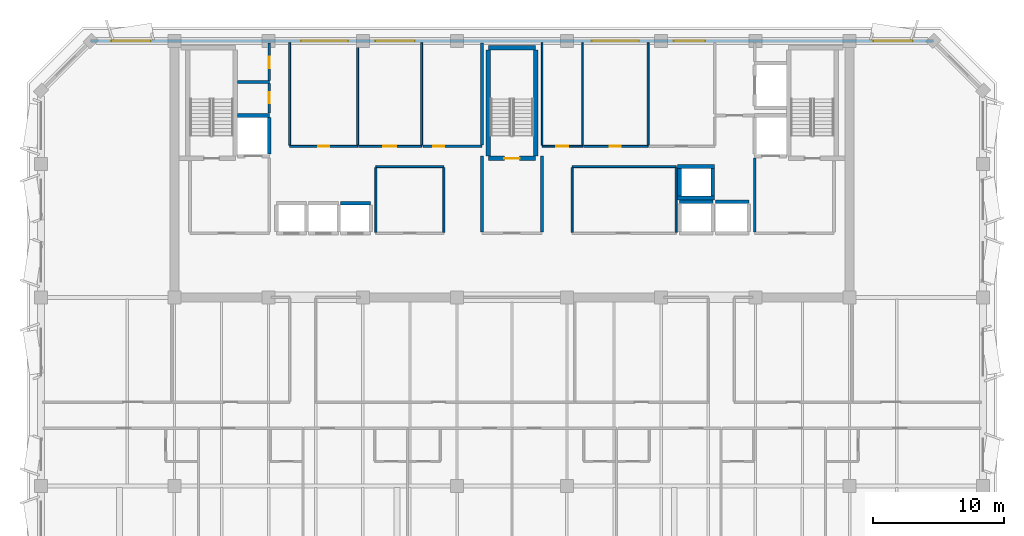
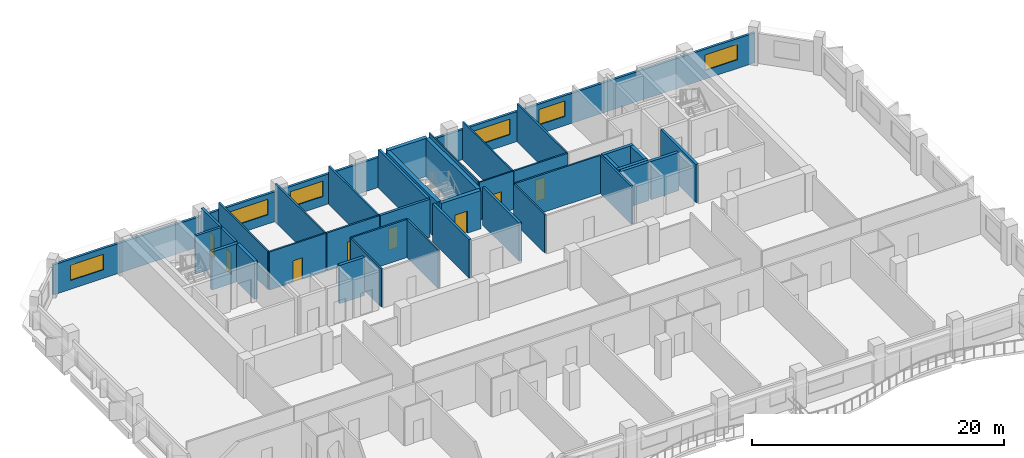
# One storey, part 6 of 11: 38 walls, 8 doors, 6 windows, 14 openings.
"""IFC4 building model written with IfcOpenShell, lengths in metres."""

from ifc_helpers import new_model, si_unit, direction, frame, frame_2d, origin, place, context, subcontext, project, spatial, rectangle, extrude, material, layer, layer_set, type_object, element, fill, save


model = new_model("IFC4")

# Units and contexts
model_context = context("Model", 3, precision=1e-05, world=origin(), true_north=direction((0.0, 1.0)))
body_context = subcontext(model_context, "Body", "Model", "MODEL_VIEW")
ifc_project = project(units=[si_unit("LENGTHUNIT", "METRE"), si_unit("AREAUNIT", "SQUARE_METRE"), si_unit("VOLUMEUNIT", "CUBIC_METRE"), si_unit("PLANEANGLEUNIT", "RADIAN"), si_unit("MASSUNIT", "GRAM", prefix="KILO")], contexts=[model_context])

# Site, building, storey
site_placement = place(None, origin())
site = spatial("IfcSite", under=ifc_project, at=site_placement, CompositionType="ELEMENT")
building_placement = place(site_placement, origin())
building = spatial("IfcBuilding", under=site, at=building_placement, Name="Kaelvorn Grand Hotel", CompositionType="ELEMENT")
storey_placement = place(building_placement, frame((0.0, 0.0, 244.949951171875)))
storey = spatial("IfcBuildingStorey", under=building, at=storey_placement, Name="L60", CompositionType="ELEMENT", Elevation=244.949951171875)

# Wall, openings, windows
ifc_material_1 = material(Name="Concrete C40/50", Category="concrete")
ifc_layer_1 = layer(ifc_material_1, 0.219970703125)
ifc_layer_set_1 = layer_set([ifc_layer_1], Name="Concrete C40/50")
wall_type_1 = type_object("IfcWallType", Name="WL-EXT-220-C40", PredefinedType="SOLIDWALL", material=ifc_layer_set_1)
wall_1_placement = place(storey_placement, frame((74.199951171875, 49.0, 0.0), z_axis=(0.0, 0.0, 1.0), x_axis=(-1.0, 0.0, 0.0)))
wall_1 = element("IfcWall", 1, at=wall_1_placement, inside=storey, type_object=wall_type_1, Name="L60 Exterior Architectural Concrete Wall 05", PredefinedType="SOLIDWALL", context=body_context, shape_type="SweptSolid", body=[
    extrude(rectangle(XDim=64.39990234375, YDim=0.219970703125, at=frame_2d((32.199951171875, 0.0))), origin(), (0.0, 0.0, 1.0), 2.91015625),
])
opening_1_placement = place(wall_1_placement, frame((59.81494140625, 0.0, 0.85009765625)))
opening_1 = element("IfcOpeningElement", 2, at=opening_1_placement, cuts=wall_1, Name="Opening W5", PredefinedType="OPENING", context=body_context, shape_type="SweptSolid", body=[
    extrude(rectangle(XDim=3.0, YDim=1.5, at=frame_2d((1.5, 0.75))), frame((0.0, 0.1201171875, 0.0), z_axis=(0.0, -1.0, 0.0), x_axis=(1.0, 0.0, 0.0)), (0.0, 0.0, 1.0), 0.239990234375),
])
opening_2_placement = place(wall_1_placement, frame((1.5849609375, 0.0, 0.85009765625)))
opening_2 = element("IfcOpeningElement", 3, at=opening_2_placement, cuts=wall_1, Name="Opening W5", PredefinedType="OPENING", context=body_context, shape_type="SweptSolid", body=[
    extrude(rectangle(XDim=3.0, YDim=1.5, at=frame_2d((1.5, 0.75))), frame((0.0, 0.1201171875, 0.0), z_axis=(0.0, -1.0, 0.0), x_axis=(1.0, 0.0, 0.0)), (0.0, 0.0, 1.0), 0.239990234375),
])
opening_3_placement = place(wall_1_placement, frame((44.715087890625, 0.0, 0.89990234375)))
opening_3 = element("IfcOpeningElement", 4, at=opening_3_placement, cuts=wall_1, Name="Opening W3", PredefinedType="OPENING", context=body_context, shape_type="SweptSolid", body=[
    extrude(rectangle(XDim=3.60009765625, YDim=1.5, at=frame_2d((1.800048828125, 0.75))), frame((0.0, 0.1201171875, 0.0), z_axis=(0.0, -1.0, 0.0), x_axis=(1.0, 0.0, 0.0)), (0.0, 0.0, 1.0), 0.239990234375),
])
opening_4_placement = place(wall_1_placement, frame((39.64990234375, 0.0, 0.89990234375)))
opening_4 = element("IfcOpeningElement", 5, at=opening_4_placement, cuts=wall_1, Name="Opening W5", PredefinedType="OPENING", context=body_context, shape_type="SweptSolid", body=[
    extrude(rectangle(XDim=3.0, YDim=1.5, at=frame_2d((1.5, 0.75))), frame((0.0, 0.1201171875, 0.0), z_axis=(0.0, -1.0, 0.0), x_axis=(1.0, 0.0, 0.0)), (0.0, 0.0, 1.0), 0.239990234375),
])
opening_5_placement = place(wall_1_placement, frame((22.5, 0.0, 0.89990234375)))
opening_5 = element("IfcOpeningElement", 6, at=opening_5_placement, cuts=wall_1, Name="Opening W3", PredefinedType="OPENING", context=body_context, shape_type="SweptSolid", body=[
    extrude(rectangle(XDim=3.60009765625, YDim=1.5, at=frame_2d((1.800048828125, 0.75))), frame((0.0, 0.1201171875, 0.0), z_axis=(0.0, -1.0, 0.0), x_axis=(1.0, 0.0, 0.0)), (0.0, 0.0, 1.0), 0.239990234375),
])
opening_6_placement = place(wall_1_placement, frame((17.43505859375, 0.0, 0.89990234375)))
opening_6 = element("IfcOpeningElement", 7, at=opening_6_placement, cuts=wall_1, Name="Opening W6", PredefinedType="OPENING", context=body_context, shape_type="SweptSolid", body=[
    extrude(rectangle(XDim=2.39990234375, YDim=1.5, at=frame_2d((1.199951171875, 0.75))), frame((0.0, 0.1201171875, 0.0), z_axis=(0.0, -1.0, 0.0), x_axis=(1.0, 0.0, 0.0)), (0.0, 0.0, 1.0), 0.239990234375),
])
ifc_material_2 = material(Name="Laminated Low-E Glass", Category="glass")
window_type_1 = type_object("IfcWindowType", Name="WIN-NTH-2400x1500", PartitioningType="SINGLE_PANEL", PredefinedType="WINDOW", material=ifc_material_2)
window_1_placement = place(opening_6_placement, origin())
window_1 = element("IfcWindow", 8, at=window_1_placement, inside=storey, type_object=window_type_1, Name="L60 North Core Clerestory Ribbon Window NC06", OverallHeight=1.5, OverallWidth=2.39990234375, PartitioningType="SINGLE_PANEL", PredefinedType="WINDOW", context=body_context, shape_type="SweptSolid", body=[
    extrude(rectangle(XDim=2.39990234375, YDim=1.5, at=frame_2d((1.199951171875, 0.75))), frame((0.0, 0.030029296875, 0.0), z_axis=(0.0, -1.0, 0.0), x_axis=(1.0, 0.0, 0.0)), (0.0, 0.0, 1.0), 0.06005859375),
])
fill(opening_6, window_1)
window_type_2 = type_object("IfcWindowType", Name="WIN-NTH-3000x1500", PartitioningType="SINGLE_PANEL", PredefinedType="WINDOW", material=ifc_material_2)
window_2_placement = place(opening_1_placement, origin())
window_2 = element("IfcWindow", 9, at=window_2_placement, inside=storey, type_object=window_type_2, Name="L60 North Wing Ribbon Window NW01", OverallHeight=1.5, OverallWidth=3.0, PartitioningType="SINGLE_PANEL", PredefinedType="WINDOW", context=body_context, shape_type="SweptSolid", body=[
    extrude(rectangle(XDim=3.0, YDim=1.5, at=frame_2d((1.5, 0.75))), frame((0.0, 0.030029296875, 0.0), z_axis=(0.0, -1.0, 0.0), x_axis=(1.0, 0.0, 0.0)), (0.0, 0.0, 1.0), 0.06005859375),
])
fill(opening_1, window_2)
window_3_placement = place(opening_2_placement, origin())
window_3 = element("IfcWindow", 10, at=window_3_placement, inside=storey, type_object=window_type_2, Name="L60 North Wing Ribbon Window NW02", OverallHeight=1.5, OverallWidth=3.0, PartitioningType="SINGLE_PANEL", PredefinedType="WINDOW", context=body_context, shape_type="SweptSolid", body=[
    extrude(rectangle(XDim=3.0, YDim=1.5, at=frame_2d((1.5, 0.75))), frame((0.0, 0.030029296875, 0.0), z_axis=(0.0, -1.0, 0.0), x_axis=(1.0, 0.0, 0.0)), (0.0, 0.0, 1.0), 0.06005859375),
])
fill(opening_2, window_3)
window_4_placement = place(opening_4_placement, origin())
window_4 = element("IfcWindow", 11, at=window_4_placement, inside=storey, type_object=window_type_2, Name="L60 North Core Clerestory Ribbon Window NC04", OverallHeight=1.5, OverallWidth=3.0, PartitioningType="SINGLE_PANEL", PredefinedType="WINDOW", context=body_context, shape_type="SweptSolid", body=[
    extrude(rectangle(XDim=3.0, YDim=1.5, at=frame_2d((1.5, 0.75))), frame((0.0, 0.030029296875, 0.0), z_axis=(0.0, -1.0, 0.0), x_axis=(1.0, 0.0, 0.0)), (0.0, 0.0, 1.0), 0.06005859375),
])
fill(opening_4, window_4)
window_type_3 = type_object("IfcWindowType", Name="WIN-RIB-3600x1750", PartitioningType="SINGLE_PANEL", PredefinedType="WINDOW", material=ifc_material_2)
window_5_placement = place(opening_3_placement, origin())
window_5 = element("IfcWindow", 12, at=window_5_placement, inside=storey, type_object=window_type_3, Name="L60 North Core Clerestory Ribbon Window NC03", OverallHeight=1.5, OverallWidth=3.60009765625, PartitioningType="SINGLE_PANEL", PredefinedType="WINDOW", context=body_context, shape_type="SweptSolid", body=[
    extrude(rectangle(XDim=3.60009765625, YDim=1.5, at=frame_2d((1.800048828125, 0.75))), frame((0.0, 0.030029296875, 0.0), z_axis=(0.0, -1.0, 0.0), x_axis=(1.0, 0.0, 0.0)), (0.0, 0.0, 1.0), 0.06005859375),
])
fill(opening_3, window_5)
window_6_placement = place(opening_5_placement, origin())
window_6 = element("IfcWindow", 13, at=window_6_placement, inside=storey, type_object=window_type_3, Name="L60 North Core Clerestory Ribbon Window NC05", OverallHeight=1.5, OverallWidth=3.60009765625, PartitioningType="SINGLE_PANEL", PredefinedType="WINDOW", context=body_context, shape_type="SweptSolid", body=[
    extrude(rectangle(XDim=3.60009765625, YDim=1.5, at=frame_2d((1.800048828125, 0.75))), frame((0.0, 0.030029296875, 0.0), z_axis=(0.0, -1.0, 0.0), x_axis=(1.0, 0.0, 0.0)), (0.0, 0.0, 1.0), 0.06005859375),
])
fill(opening_5, window_6)

# Wall, opening, door
ifc_material_3 = material(Name="Moisture-Resistant Tile & Stud Board")
ifc_layer_2 = layer(ifc_material_3, 0.125)
ifc_layer_set_2 = layer_set([ifc_layer_2], Name="Moisture-Resistant Tile & Stud Board")
wall_type_2 = type_object("IfcWallType", Name="WL-PART-125-WET", PredefinedType="PARTITIONING", material=ifc_layer_set_2)
wall_2_placement = place(storey_placement, frame((44.300048828125, 40.949951171875, 0.0), z_axis=(0.0, 0.0, 1.0), x_axis=(1.0, 0.0, 0.0)))
wall_2 = element("IfcWall", 14, at=wall_2_placement, inside=storey, type_object=wall_type_2, Name="L60 Accessible WC S Partition", PredefinedType="PARTITIONING", context=body_context, shape_type="SweptSolid", body=[
    extrude(rectangle(XDim=3.099853515625, YDim=0.125, at=frame_2d((1.5498046875, 0.0))), origin(), (0.0, 0.0, 1.0), 3.7099609375),
])
opening_7_placement = place(wall_2_placement, frame((1.10009765625, 0.0, 0.0)))
opening_7 = element("IfcOpeningElement", 15, at=opening_7_placement, cuts=wall_2, Name="Opening DI4", PredefinedType="OPENING", context=body_context, shape_type="SweptSolid", body=[
    extrude(rectangle(XDim=0.89990234375, YDim=2.10009765625, at=frame_2d((0.449951171875, 1.050048828125))), frame((0.0, 0.072509765625, 0.0), z_axis=(0.0, -1.0, 0.0), x_axis=(1.0, 0.0, 0.0)), (0.0, 0.0, 1.0), 0.14501953125),
])
ifc_material_4 = material(Name="Timber Veneer Leaf", Category="wood")
door_type_1 = type_object("IfcDoorType", Name="DR-INT-BATH-900x2100", OperationType="NOTDEFINED", PredefinedType="DOOR", material=ifc_material_4)
door_1_placement = place(opening_7_placement, origin())
door_1 = element("IfcDoor", 16, at=door_1_placement, inside=storey, type_object=door_type_1, Name="L60 Accessible WC Door", OperationType="SINGLE_SWING_RIGHT", OverallHeight=2.10009765625, OverallWidth=0.89990234375, PredefinedType="DOOR", context=body_context, shape_type="SweptSolid", body=[
    extrude(rectangle(XDim=0.89990234375, YDim=2.10009765625, at=frame_2d((0.449951171875, 1.050048828125))), frame((0.0, 0.02490234375, 0.0), z_axis=(0.0, -1.0, 0.0), x_axis=(1.0, 0.0, 0.0)), (0.0, 0.0, 1.0), 0.050048828125),
])
fill(opening_7, door_1)

# Walls
for number, where, z_axis, x_axis, name in (
    (17, (44.300048828125, 41.017578125, 0.0), (0.0, 0.0, 1.0), (0.0, 1.0, 0.0), "L60 Accessible WC W Partition"),
    (18, (47.39990234375, 41.017578125, 0.0), (0.0, 0.0, 1.0), (0.0, 1.0, 0.0), "L60 Accessible WC E Partition"),
):
    element("IfcWall", number, at=place(storey_placement, frame(where, z_axis=z_axis, x_axis=x_axis)), inside=storey, type_object=wall_type_2, Name=name, PredefinedType="PARTITIONING", context=body_context, shape_type="SweptSolid", body=[
        extrude(rectangle(XDim=7.83251953125, YDim=0.125, at=frame_2d((3.916259765625, 0.0))), origin(), (0.0, 0.0, 1.0), 3.7099609375),
    ])
ifc_material_5 = material(Name="Acoustic Gypsum & Stud Partition")
ifc_layer_3 = layer(ifc_material_5, 0.14990234375)
ifc_layer_set_3 = layer_set([ifc_layer_3], Name="Acoustic Gypsum & Stud Partition")
wall_type_3 = type_object("IfcWallType", Name="WL-PART-150-EI60", PredefinedType="PARTITIONING", material=ifc_layer_set_3)
wall_3_placement = place(storey_placement, frame((31.60009765625, 39.39990234375, 0.0), z_axis=(0.0, 0.0, 1.0), x_axis=(1.0, 0.0, 0.0)))
element("IfcWall", 19, at=wall_3_placement, inside=storey, type_object=wall_type_3, Name="L60 Core Telecoms & BMS Server Room N Partition", PredefinedType="PARTITIONING", context=body_context, shape_type="SweptSolid", body=[
    extrude(rectangle(XDim=5.199951171875, YDim=0.14990234375, at=frame_2d((2.60009765625, 0.0))), origin(), (0.0, 0.0, 1.0), 3.7099609375),
])
for number, where, z_axis, x_axis, name in (
    (20, (31.60009765625, 34.3798828125, 0.0), (0.0, 0.0, 1.0), (0.0, 1.0, 0.0), "L60 Core Telecoms & BMS Server Room W Partition"),
    (21, (36.800048828125, 34.3798828125, 0.0), (0.0, 0.0, 1.0), (0.0, 1.0, 0.0), "L60 Core Telecoms & BMS Server Room E Partition"),
):
    element("IfcWall", number, at=place(storey_placement, frame(where, z_axis=z_axis, x_axis=x_axis)), inside=storey, type_object=wall_type_3, Name=name, PredefinedType="PARTITIONING", context=body_context, shape_type="SweptSolid", body=[
        extrude(rectangle(XDim=4.940185546875, YDim=0.14990234375, at=frame_2d((2.47021484375, 0.0))), origin(), (0.0, 0.0, 1.0), 3.7099609375),
    ])
wall_4_placement = place(storey_placement, frame((46.60009765625, 39.39990234375, 0.0), z_axis=(0.0, 0.0, 1.0), x_axis=(1.0, 0.0, 0.0)))
element("IfcWall", 22, at=wall_4_placement, inside=storey, type_object=wall_type_3, Name="L60 Sky Concierge & Butler Pantry Lounge N Partition", PredefinedType="PARTITIONING", context=body_context, shape_type="SweptSolid", body=[
    extrude(rectangle(XDim=7.949951171875, YDim=0.14990234375, at=frame_2d((3.97509765625, 0.0))), origin(), (0.0, 0.0, 1.0), 3.7099609375),
])
for number, where, z_axis, x_axis, name in (
    (23, (46.60009765625, 34.3798828125, 0.0), (0.0, 0.0, 1.0), (0.0, 1.0, 0.0), "L60 Sky Concierge & Butler Pantry Lounge W Partition"),
    (24, (54.550048828125, 34.3798828125, 0.0), (0.0, 0.0, 1.0), (0.0, 1.0, 0.0), "L60 Sky Concierge & Butler Pantry Lounge E Partition"),
):
    element("IfcWall", number, at=place(storey_placement, frame(where, z_axis=z_axis, x_axis=x_axis)), inside=storey, type_object=wall_type_3, Name=name, PredefinedType="PARTITIONING", context=body_context, shape_type="SweptSolid", body=[
        extrude(rectangle(XDim=4.940185546875, YDim=0.14990234375, at=frame_2d((2.47021484375, 0.0))), origin(), (0.0, 0.0, 1.0), 3.7099609375),
    ])

# Wall, opening, door
wall_5_placement = place(storey_placement, frame((25.0, 40.949951171875, 0.0), z_axis=(0.0, 0.0, 1.0), x_axis=(1.0, 0.0, 0.0)))
wall_5 = element("IfcWall", 25, at=wall_5_placement, inside=storey, type_object=wall_type_3, Name="L60 Housekeeping & Linen Room S Partition", PredefinedType="PARTITIONING", context=body_context, shape_type="SweptSolid", body=[
    extrude(rectangle(XDim=5.199951171875, YDim=0.14990234375, at=frame_2d((2.60009765625, 0.0))), origin(), (0.0, 0.0, 1.0), 3.7099609375),
])
opening_8_placement = place(wall_5_placement, frame((2.175048828125, 0.0, 0.0)))
opening_8 = element("IfcOpeningElement", 26, at=opening_8_placement, cuts=wall_5, Name="Opening DI7", PredefinedType="OPENING", context=body_context, shape_type="SweptSolid", body=[
    extrude(rectangle(XDim=0.85009765625, YDim=2.10009765625, at=frame_2d((0.425048828125, 1.050048828125))), frame((0.0, 0.0849609375, 0.0), z_axis=(0.0, -1.0, 0.0), x_axis=(1.0, 0.0, 0.0)), (0.0, 0.0, 1.0), 0.169921875),
])
ifc_material_6 = material(Name="Powder-Coated Steel Leaf", Category="steel")
door_type_2 = type_object("IfcDoorType", Name="DR-INT-RISER-850x2100", OperationType="NOTDEFINED", PredefinedType="DOOR", material=ifc_material_6)
door_2_placement = place(opening_8_placement, origin())
door_2 = element("IfcDoor", 27, at=door_2_placement, inside=storey, type_object=door_type_2, Name="L60 Housekeeping & Linen Room Door", OperationType="SINGLE_SWING_LEFT", OverallHeight=2.10009765625, OverallWidth=0.85009765625, PredefinedType="DOOR", context=body_context, shape_type="SweptSolid", body=[
    extrude(rectangle(XDim=0.85009765625, YDim=2.10009765625, at=frame_2d((0.425048828125, 1.050048828125))), frame((0.0, 0.02490234375, 0.0), z_axis=(0.0, -1.0, 0.0), x_axis=(1.0, 0.0, 0.0)), (0.0, 0.0, 1.0), 0.050048828125),
])
fill(opening_8, door_2)

# Walls
for number, where, z_axis, x_axis, name in (
    (28, (25.0, 41.030029296875, 0.0), (0.0, 0.0, 1.0), (0.0, 1.0, 0.0), "L60 Housekeeping & Linen Room W Partition"),
    (29, (30.199951171875, 41.030029296875, 0.0), (0.0, 0.0, 1.0), (0.0, 1.0, 0.0), "L60 Housekeeping & Linen Room E Partition"),
):
    element("IfcWall", number, at=place(storey_placement, frame(where, z_axis=z_axis, x_axis=x_axis)), inside=storey, type_object=wall_type_3, Name=name, PredefinedType="PARTITIONING", context=body_context, shape_type="SweptSolid", body=[
        extrude(rectangle(XDim=7.820068359375, YDim=0.14990234375, at=frame_2d((3.91015625, 0.0))), origin(), (0.0, 0.0, 1.0), 3.7099609375),
    ])

# Wall, opening, door
wall_6_placement = place(storey_placement, frame((30.280029296875, 40.949951171875, 0.0), z_axis=(0.0, 0.0, 1.0), x_axis=(1.0, 0.0, 0.0)))
wall_6 = element("IfcWall", 30, at=wall_6_placement, inside=storey, type_object=wall_type_3, Name="L60 Room Service Servery Pantry S Partition", PredefinedType="PARTITIONING", context=body_context, shape_type="SweptSolid", body=[
    extrude(rectangle(XDim=4.820068359375, YDim=0.14990234375, at=frame_2d((2.41015625, 0.0))), origin(), (0.0, 0.0, 1.0), 3.7099609375),
])
opening_9_placement = place(wall_6_placement, frame((1.8701171875, 0.0, 0.0)))
opening_9 = element("IfcOpeningElement", 31, at=opening_9_placement, cuts=wall_6, Name="Opening DI3", PredefinedType="OPENING", context=body_context, shape_type="SweptSolid", body=[
    extrude(rectangle(XDim=1.0, YDim=2.14990234375, at=frame_2d((0.5, 1.074951171875))), frame((0.0, 0.0849609375, 0.0), z_axis=(0.0, -1.0, 0.0), x_axis=(1.0, 0.0, 0.0)), (0.0, 0.0, 1.0), 0.169921875),
])
ifc_material_7 = material(Name="Timber Veneer Fire Leaf", Category="wood")
door_type_3 = type_object("IfcDoorType", Name="DR-INT-GUEST-1000x2150", OperationType="NOTDEFINED", PredefinedType="DOOR", material=ifc_material_7)
door_3_placement = place(opening_9_placement, origin())
door_3 = element("IfcDoor", 32, at=door_3_placement, inside=storey, type_object=door_type_3, Name="L60 Room Service Servery Pantry Door", OperationType="SINGLE_SWING_RIGHT", OverallHeight=2.14990234375, OverallWidth=1.0, PredefinedType="DOOR", context=body_context, shape_type="SweptSolid", body=[
    extrude(rectangle(XDim=1.0, YDim=2.14990234375, at=frame_2d((0.5, 1.074951171875))), frame((0.0, 0.02490234375, 0.0), z_axis=(0.0, -1.0, 0.0), x_axis=(1.0, 0.0, 0.0)), (0.0, 0.0, 1.0), 0.050048828125),
])
fill(opening_9, door_3)

# Wall
wall_7_placement = place(storey_placement, frame((35.10009765625, 41.030029296875, 0.0), z_axis=(0.0, 0.0, 1.0), x_axis=(0.0, 1.0, 0.0)))
element("IfcWall", 33, at=wall_7_placement, inside=storey, type_object=wall_type_3, Name="L60 Room Service Servery Pantry E Partition", PredefinedType="PARTITIONING", context=body_context, shape_type="SweptSolid", body=[
    extrude(rectangle(XDim=7.820068359375, YDim=0.14990234375, at=frame_2d((3.91015625, 0.0))), origin(), (0.0, 0.0, 1.0), 3.7099609375),
])

# Wall, opening, door
wall_8_placement = place(storey_placement, frame((47.467529296875, 40.949951171875, 0.0), z_axis=(0.0, 0.0, 1.0), x_axis=(1.0, 0.0, 0.0)))
wall_8 = element("IfcWall", 34, at=wall_8_placement, inside=storey, type_object=wall_type_3, Name="L60 Valet & Luggage Store S Partition", PredefinedType="PARTITIONING", context=body_context, shape_type="SweptSolid", body=[
    extrude(rectangle(XDim=4.932373046875, YDim=0.14990234375, at=frame_2d((2.46630859375, 0.0))), origin(), (0.0, 0.0, 1.0), 3.7099609375),
])
opening_10_placement = place(wall_8_placement, frame((2.007568359375, 0.0, 0.0)))
opening_10 = element("IfcOpeningElement", 35, at=opening_10_placement, cuts=wall_8, Name="Opening DI7", PredefinedType="OPENING", context=body_context, shape_type="SweptSolid", body=[
    extrude(rectangle(XDim=0.85009765625, YDim=2.10009765625, at=frame_2d((0.425048828125, 1.050048828125))), frame((0.0, 0.0849609375, 0.0), z_axis=(0.0, -1.0, 0.0), x_axis=(1.0, 0.0, 0.0)), (0.0, 0.0, 1.0), 0.169921875),
])
door_4_placement = place(opening_10_placement, origin())
door_4 = element("IfcDoor", 36, at=door_4_placement, inside=storey, type_object=door_type_2, Name="L60 Valet & Luggage Store Door", OperationType="SINGLE_SWING_LEFT", OverallHeight=2.10009765625, OverallWidth=0.85009765625, PredefinedType="DOOR", context=body_context, shape_type="SweptSolid", body=[
    extrude(rectangle(XDim=0.85009765625, YDim=2.10009765625, at=frame_2d((0.425048828125, 1.050048828125))), frame((0.0, 0.02490234375, 0.0), z_axis=(0.0, -1.0, 0.0), x_axis=(1.0, 0.0, 0.0)), (0.0, 0.0, 1.0), 0.050048828125),
])
fill(opening_10, door_4)

# Walls
wall_9_placement = place(storey_placement, frame((52.39990234375, 41.030029296875, 0.0), z_axis=(0.0, 0.0, 1.0), x_axis=(0.0, 1.0, 0.0)))
element("IfcWall", 37, at=wall_9_placement, inside=storey, type_object=wall_type_3, Name="L60 Valet & Luggage Store E Partition", PredefinedType="PARTITIONING", context=body_context, shape_type="SweptSolid", body=[
    extrude(rectangle(XDim=7.820068359375, YDim=0.14990234375, at=frame_2d((3.91015625, 0.0))), origin(), (0.0, 0.0, 1.0), 3.7099609375),
])
ifc_layer_4 = layer(ifc_material_1, 0.219970703125)
ifc_layer_set_4 = layer_set([ifc_layer_4], Name="Concrete C40/50")
wall_type_4 = type_object("IfcWallType", Name="WL-PART-220-EI120", PredefinedType="PARTITIONING", material=ifc_layer_set_4)
wall_10_placement = place(storey_placement, frame((60.550048828125, 34.4150390625, 0.0), z_axis=(0.0, 0.0, 1.0), x_axis=(0.0, 1.0, 0.0)))
element("IfcWall", 38, at=wall_10_placement, inside=storey, type_object=wall_type_4, Name="L60 Firefighting Lift Lobby 2 W Partition", PredefinedType="PARTITIONING", context=body_context, shape_type="SweptSolid", body=[
    extrude(rectangle(XDim=5.639892578125, YDim=0.219970703125, at=frame_2d((2.81982421875, 0.0))), origin(), (0.0, 0.0, 1.0), 3.7099609375),
])
for number, where, z_axis, x_axis, name in (
    (39, (39.699951171875, 34.4150390625, 0.0), (0.0, 0.0, 1.0), (0.0, 1.0, 0.0), "L60 Central Stair Escape Vestibule W Partition"),
    (40, (44.300048828125, 34.4150390625, 0.0), (0.0, 0.0, 1.0), (0.0, 1.0, 0.0), "L60 Central Stair Escape Vestibule E Partition"),
):
    element("IfcWall", number, at=place(storey_placement, frame(where, z_axis=z_axis, x_axis=x_axis)), inside=storey, type_object=wall_type_4, Name=name, PredefinedType="PARTITIONING", context=body_context, shape_type="SweptSolid", body=[
        extrude(rectangle(XDim=5.784912109375, YDim=0.219970703125, at=frame_2d((2.892578125, 0.0))), origin(), (0.0, 0.0, 1.0), 3.7099609375),
    ])
wall_11_placement = place(storey_placement, frame((21.034912109375, 45.85009765625, 0.0), z_axis=(0.0, 0.0, 1.0), x_axis=(1.0, 0.0, 0.0)))
element("IfcWall", 41, at=wall_11_placement, inside=storey, type_object=wall_type_4, Name="L60 Wet Fire & Plumbing Riser Shaft N Partition", PredefinedType="PARTITIONING", context=body_context, shape_type="SweptSolid", body=[
    extrude(rectangle(XDim=2.4150390625, YDim=0.219970703125, at=frame_2d((1.20751953125, 0.0))), origin(), (0.0, 0.0, 1.0), 3.7099609375),
])

# Wall, opening, door
wall_12_placement = place(storey_placement, frame((23.449951171875, 43.5, 0.0), z_axis=(0.0, 0.0, 1.0), x_axis=(0.0, 1.0, 0.0)))
wall_12 = element("IfcWall", 42, at=wall_12_placement, inside=storey, type_object=wall_type_4, Name="L60 Wet Fire & Plumbing Riser Shaft E Partition", PredefinedType="PARTITIONING", context=body_context, shape_type="SweptSolid", body=[
    extrude(rectangle(XDim=2.235107421875, YDim=0.219970703125, at=frame_2d((1.11767578125, 0.0))), origin(), (0.0, 0.0, 1.0), 3.7099609375),
])
opening_11_placement = place(wall_12_placement, frame((0.72509765625, 0.0, 0.0)))
opening_11 = element("IfcOpeningElement", 43, at=opening_11_placement, cuts=wall_12, Name="Opening DI7", PredefinedType="OPENING", context=body_context, shape_type="SweptSolid", body=[
    extrude(rectangle(XDim=0.85009765625, YDim=2.10009765625, at=frame_2d((0.425048828125, 1.050048828125))), frame((0.0, 0.1201171875, 0.0), z_axis=(0.0, -1.0, 0.0), x_axis=(1.0, 0.0, 0.0)), (0.0, 0.0, 1.0), 0.239990234375),
])
door_5_placement = place(opening_11_placement, origin())
door_5 = element("IfcDoor", 44, at=door_5_placement, inside=storey, type_object=door_type_2, Name="L60 Wet Fire & Plumbing Riser Shaft Door", OperationType="SINGLE_SWING_LEFT", OverallHeight=2.10009765625, OverallWidth=0.85009765625, PredefinedType="DOOR", context=body_context, shape_type="SweptSolid", body=[
    extrude(rectangle(XDim=0.85009765625, YDim=2.10009765625, at=frame_2d((0.425048828125, 1.050048828125))), frame((0.0, 0.02490234375, 0.0), z_axis=(0.0, -1.0, 0.0), x_axis=(1.0, 0.0, 0.0)), (0.0, 0.0, 1.0), 0.050048828125),
])
fill(opening_11, door_5)

wall_13_placement = place(storey_placement, frame((23.449951171875, 45.965087890625, 0.0), z_axis=(0.0, 0.0, 1.0), x_axis=(0.0, 1.0, 0.0)))
wall_13 = element("IfcWall", 45, at=wall_13_placement, inside=storey, type_object=wall_type_4, Name="L60 HV Electrical & Smoke Riser E Partition", PredefinedType="PARTITIONING", context=body_context, shape_type="SweptSolid", body=[
    extrude(rectangle(XDim=2.885009765625, YDim=0.219970703125, at=frame_2d((1.4423828125, 0.0))), origin(), (0.0, 0.0, 1.0), 3.7099609375),
])
opening_12_placement = place(wall_13_placement, frame((0.9599609375, 0.0, 0.0)))
opening_12 = element("IfcOpeningElement", 46, at=opening_12_placement, cuts=wall_13, Name="Opening DI7", PredefinedType="OPENING", context=body_context, shape_type="SweptSolid", body=[
    extrude(rectangle(XDim=0.85009765625, YDim=2.10009765625, at=frame_2d((0.425048828125, 1.050048828125))), frame((0.0, 0.1201171875, 0.0), z_axis=(0.0, -1.0, 0.0), x_axis=(1.0, 0.0, 0.0)), (0.0, 0.0, 1.0), 0.239990234375),
])
door_6_placement = place(opening_12_placement, origin())
door_6 = element("IfcDoor", 47, at=door_6_placement, inside=storey, type_object=door_type_2, Name="L60 HV Electrical & Smoke Riser Door", OperationType="SINGLE_SWING_RIGHT", OverallHeight=2.10009765625, OverallWidth=0.85009765625, PredefinedType="DOOR", context=body_context, shape_type="SweptSolid", body=[
    extrude(rectangle(XDim=0.85009765625, YDim=2.10009765625, at=frame_2d((0.425048828125, 1.050048828125))), frame((0.0, 0.02490234375, 0.0), z_axis=(0.0, -1.0, 0.0), x_axis=(1.0, 0.0, 0.0)), (0.0, 0.0, 1.0), 0.050048828125),
])
fill(opening_12, door_6)

wall_14_placement = place(storey_placement, frame((35.179931640625, 40.949951171875, 0.0), z_axis=(0.0, 0.0, 1.0), x_axis=(1.0, 0.0, 0.0)))
wall_14 = element("IfcWall", 48, at=wall_14_placement, inside=storey, type_object=wall_type_4, Name="L60 Floor Electrical Switchroom S Partition", PredefinedType="PARTITIONING", context=body_context, shape_type="SweptSolid", body=[
    extrude(rectangle(XDim=4.52001953125, YDim=0.219970703125, at=frame_2d((2.260009765625, 0.0))), origin(), (0.0, 0.0, 1.0), 3.7099609375),
])
opening_13_placement = place(wall_14_placement, frame((0.794921875, 0.0, 0.0)))
opening_13 = element("IfcOpeningElement", 49, at=opening_13_placement, cuts=wall_14, Name="Opening DI7", PredefinedType="OPENING", context=body_context, shape_type="SweptSolid", body=[
    extrude(rectangle(XDim=0.85009765625, YDim=2.10009765625, at=frame_2d((0.425048828125, 1.050048828125))), frame((0.0, 0.1201171875, 0.0), z_axis=(0.0, -1.0, 0.0), x_axis=(1.0, 0.0, 0.0)), (0.0, 0.0, 1.0), 0.239990234375),
])
door_7_placement = place(opening_13_placement, origin())
door_7 = element("IfcDoor", 50, at=door_7_placement, inside=storey, type_object=door_type_2, Name="L60 Floor Electrical Switchroom Door", OperationType="SINGLE_SWING_LEFT", OverallHeight=2.10009765625, OverallWidth=0.85009765625, PredefinedType="DOOR", context=body_context, shape_type="SweptSolid", body=[
    extrude(rectangle(XDim=0.85009765625, YDim=2.10009765625, at=frame_2d((0.425048828125, 1.050048828125))), frame((0.0, 0.02490234375, 0.0), z_axis=(0.0, -1.0, 0.0), x_axis=(1.0, 0.0, 0.0)), (0.0, 0.0, 1.0), 0.050048828125),
])
fill(opening_13, door_7)

# Walls
wall_15_placement = place(storey_placement, frame((39.699951171875, 41.06494140625, 0.0), z_axis=(0.0, 0.0, 1.0), x_axis=(0.0, 1.0, 0.0)))
element("IfcWall", 51, at=wall_15_placement, inside=storey, type_object=wall_type_4, Name="L60 Floor Electrical Switchroom E Partition", PredefinedType="PARTITIONING", context=body_context, shape_type="SweptSolid", body=[
    extrude(rectangle(XDim=7.78515625, YDim=0.219970703125, at=frame_2d((3.892578125, 0.0))), origin(), (0.0, 0.0, 1.0), 3.7099609375),
])
ifc_material_8 = material(Name="Concrete C50/60", Category="concrete")
ifc_layer_5 = layer(ifc_material_8, 0.280029296875)
ifc_layer_set_5 = layer_set([ifc_layer_5], Name="Concrete C50/60")
wall_type_5 = type_object("IfcWallType", Name="WL-SHAFT-280-C50", PredefinedType="SHEAR", material=ifc_layer_set_5)
wall_16_placement = place(storey_placement, frame((28.89990234375, 36.60009765625, 0.0), z_axis=(0.0, 0.0, 1.0), x_axis=(1.0, 0.0, 0.0)))
element("IfcWall", 52, at=wall_16_placement, inside=storey, type_object=wall_type_5, Name="L60 Lift PL-H3 Shaft North Wall", PredefinedType="SHEAR", context=body_context, shape_type="SweptSolid", body=[
    extrude(rectangle(XDim=2.300048828125, YDim=0.280029296875, at=frame_2d((1.14990234375, 0.0))), origin(), (0.0, 0.0, 1.0), 3.7099609375),
])
for number, where, z_axis, x_axis, name in (
    (53, (54.800048828125, 36.699951171875, 0.0), (0.0, 0.0, 1.0), (1.0, 0.0, 0.0), "L60 Lift OL-1 Shaft North Wall"),
    (54, (57.550048828125, 36.699951171875, 0.0), (0.0, 0.0, 1.0), (1.0, 0.0, 0.0), "L60 Lift OL-2 Shaft North Wall"),
):
    element("IfcWall", number, at=place(storey_placement, frame(where, z_axis=z_axis, x_axis=x_axis)), inside=storey, type_object=wall_type_5, Name=name, PredefinedType="SHEAR", context=body_context, shape_type="SweptSolid", body=[
        extrude(rectangle(XDim=2.550048828125, YDim=0.280029296875, at=frame_2d((1.27490234375, 0.0))), origin(), (0.0, 0.0, 1.0), 3.7099609375),
    ])
for number, where, z_axis, x_axis, name in (
    (55, (54.659912109375, 37.0, 0.0), (0.0, 0.0, 1.0), (1.0, 0.0, 0.0), "L60 Lift OL-3 Shaft South Wall"),
    (56, (54.659912109375, 39.39990234375, 0.0), (0.0, 0.0, 1.0), (1.0, 0.0, 0.0), "L60 Lift OL-3 Shaft North Wall"),
):
    element("IfcWall", number, at=place(storey_placement, frame(where, z_axis=z_axis, x_axis=x_axis)), inside=storey, type_object=wall_type_5, Name=name, PredefinedType="SHEAR", context=body_context, shape_type="SweptSolid", body=[
        extrude(rectangle(XDim=2.830078125, YDim=0.280029296875, at=frame_2d((1.4150390625, 0.0))), origin(), (0.0, 0.0, 1.0), 3.7099609375),
    ])
for number, where, z_axis, x_axis, name in (
    (57, (54.800048828125, 37.14501953125, 0.0), (0.0, 0.0, 1.0), (0.0, 1.0, 0.0), "L60 Lift OL-3 Shaft West Wall"),
    (58, (57.35009765625, 37.14501953125, 0.0), (0.0, 0.0, 1.0), (0.0, 1.0, 0.0), "L60 Lift OL-3 Shaft East Wall"),
):
    element("IfcWall", number, at=place(storey_placement, frame(where, z_axis=z_axis, x_axis=x_axis)), inside=storey, type_object=wall_type_5, Name=name, PredefinedType="SHEAR", context=body_context, shape_type="SweptSolid", body=[
        extrude(rectangle(XDim=2.10986328125, YDim=0.280029296875, at=frame_2d((1.054931640625, 0.0))), origin(), (0.0, 0.0, 1.0), 3.7099609375),
    ])
wall_17_placement = place(storey_placement, frame((21.034912109375, 43.300048828125, 0.0), z_axis=(0.0, 0.0, 1.0), x_axis=(1.0, 0.0, 0.0)))
element("IfcWall", 59, at=wall_17_placement, inside=storey, type_object=wall_type_5, Name="L60 Lift FFL1 Shaft North Wall", PredefinedType="SHEAR", context=body_context, shape_type="SweptSolid", body=[
    extrude(rectangle(XDim=2.4150390625, YDim=0.280029296875, at=frame_2d((1.20751953125, 0.0))), origin(), (0.0, 0.0, 1.0), 3.7099609375),
])
wall_18_placement = place(storey_placement, frame((23.449951171875, 40.344970703125, 0.0), z_axis=(0.0, 0.0, 1.0), x_axis=(0.0, 1.0, 0.0)))
element("IfcWall", 60, at=wall_18_placement, inside=storey, type_object=wall_type_5, Name="L60 Lift FFL1 Shaft East Wall", PredefinedType="SHEAR", context=body_context, shape_type="SweptSolid", body=[
    extrude(rectangle(XDim=2.81005859375, YDim=0.280029296875, at=frame_2d((1.405029296875, 0.0))), origin(), (0.0, 0.0, 1.0), 3.7099609375),
])

# Wall, opening, door
ifc_material_9 = material(Name="Concrete C60/75", Category="concrete")
ifc_layer_6 = layer(ifc_material_9, 0.35009765625)
ifc_layer_set_6 = layer_set([ifc_layer_6], Name="Concrete C60/75")
wall_type_6 = type_object("IfcWallType", Name="WL-SHAFT-350-C60", PredefinedType="SHEAR", material=ifc_layer_set_6)
wall_19_placement = place(storey_placement, frame((40.18505859375, 40.02490234375, 0.0), z_axis=(0.0, 0.0, 1.0), x_axis=(1.0, 0.0, 0.0)))
wall_19 = element("IfcWall", 61, at=wall_19_placement, inside=storey, type_object=wall_type_6, Name="L60 ST2 Stair Shaft South Wall", PredefinedType="SHEAR", context=body_context, shape_type="SweptSolid", body=[
    extrude(rectangle(XDim=3.6298828125, YDim=0.35009765625, at=frame_2d((1.81494140625, 0.0))), origin(), (0.0, 0.0, 1.0), 3.7099609375),
])
opening_14_placement = place(wall_19_placement, frame((1.239990234375, 0.0, 0.0)))
opening_14 = element("IfcOpeningElement", 62, at=opening_14_placement, cuts=wall_19, Name="Opening DI1", PredefinedType="OPENING", context=body_context, shape_type="SweptSolid", body=[
    extrude(rectangle(XDim=1.14990234375, YDim=2.14990234375, at=frame_2d((0.574951171875, 1.074951171875))), frame((0.0, 0.18505859375, 0.0), z_axis=(0.0, -1.0, 0.0), x_axis=(1.0, 0.0, 0.0)), (0.0, 0.0, 1.0), 0.3701171875),
])
door_type_4 = type_object("IfcDoorType", Name="DR-INT-STAIR-1150x2150", OperationType="NOTDEFINED", PredefinedType="DOOR", material=ifc_material_7)
door_8_placement = place(opening_14_placement, origin())
door_8 = element("IfcDoor", 63, at=door_8_placement, inside=storey, type_object=door_type_4, Name="L60 ST2 Exit Stair Fire Door", OperationType="SINGLE_SWING_LEFT", OverallHeight=2.14990234375, OverallWidth=1.14990234375, PredefinedType="DOOR", context=body_context, shape_type="SweptSolid", body=[
    extrude(rectangle(XDim=1.14990234375, YDim=2.14990234375, at=frame_2d((0.574951171875, 1.074951171875))), frame((0.0, 0.02490234375, 0.0), z_axis=(0.0, -1.0, 0.0), x_axis=(1.0, 0.0, 0.0)), (0.0, 0.0, 1.0), 0.050048828125),
])
fill(opening_14, door_8)

# Walls
wall_20_placement = place(storey_placement, frame((40.18505859375, 48.47509765625, 0.0), z_axis=(0.0, 0.0, 1.0), x_axis=(1.0, 0.0, 0.0)))
element("IfcWall", 64, at=wall_20_placement, inside=storey, type_object=wall_type_6, Name="L60 ST2 Stair Shaft North Wall", PredefinedType="SHEAR", context=body_context, shape_type="SweptSolid", body=[
    extrude(rectangle(XDim=3.6298828125, YDim=0.35009765625, at=frame_2d((1.81494140625, 0.0))), origin(), (0.0, 0.0, 1.0), 3.7099609375),
])
for number, where, z_axis, x_axis, name in (
    (65, (40.18505859375, 40.205078125, 0.0), (0.0, 0.0, 1.0), (0.0, 1.0, 0.0), "L60 ST2 Stair Shaft West Wall"),
    (66, (43.81494140625, 40.205078125, 0.0), (0.0, 0.0, 1.0), (0.0, 1.0, 0.0), "L60 ST2 Stair Shaft East Wall"),
):
    element("IfcWall", number, at=place(storey_placement, frame(where, z_axis=z_axis, x_axis=x_axis)), inside=storey, type_object=wall_type_6, Name=name, PredefinedType="SHEAR", context=body_context, shape_type="SweptSolid", body=[
        extrude(rectangle(XDim=8.08984375, YDim=0.35009765625, at=frame_2d((4.044921875, 0.0))), origin(), (0.0, 0.0, 1.0), 3.7099609375),
    ])

save(model, "model.ifc")
